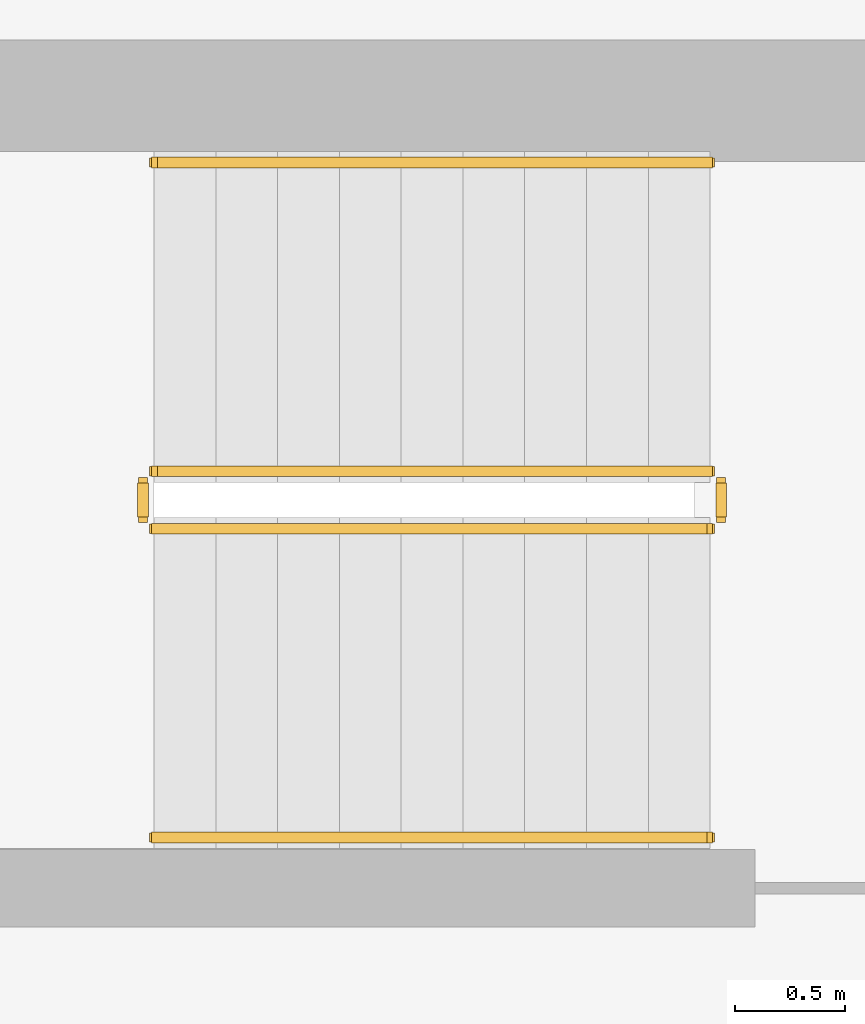
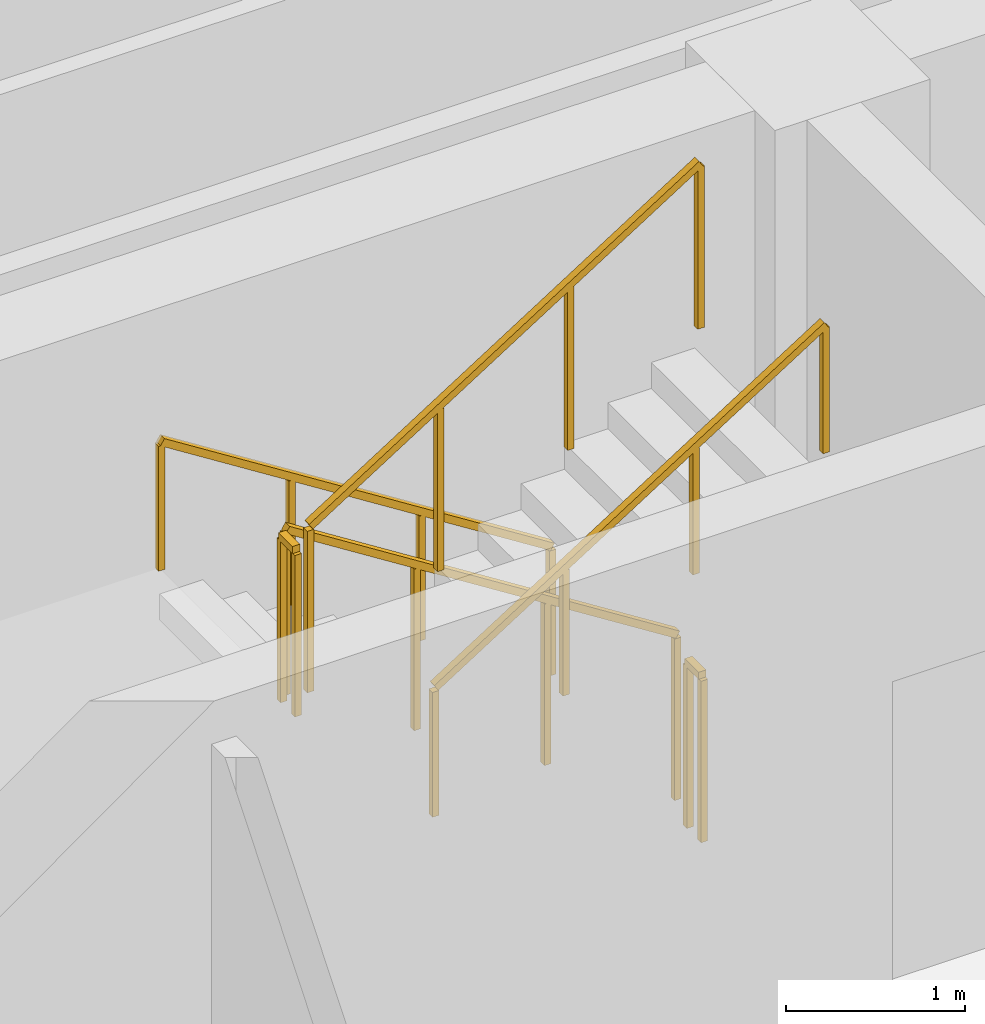
# One storey, part 11 of 13: 6 railings.
"""IFC4 building model written with IfcOpenShell, lengths in metres."""

from ifc_helpers import new_model, si_unit, direction, frame, origin, origin_2d, place, context, subcontext, project, spatial, rectangle, extrude, material, type_object, element, save


model = new_model("IFC4")

# Units and contexts
model_context = context("Model", 3, precision=1e-05, world=origin(), true_north=direction((0.0, 1.0)))
body_context = subcontext(model_context, "Body", "Model", "MODEL_VIEW")
ifc_project = project(units=[si_unit("LENGTHUNIT", "METRE"), si_unit("AREAUNIT", "SQUARE_METRE"), si_unit("VOLUMEUNIT", "CUBIC_METRE"), si_unit("PLANEANGLEUNIT", "RADIAN"), si_unit("MASSUNIT", "GRAM", prefix="KILO")], contexts=[model_context])

# Site, building, storey
site_placement = place(None, origin())
site = spatial("IfcSite", under=ifc_project, at=site_placement, CompositionType="ELEMENT")
building_placement = place(site_placement, origin())
building = spatial("IfcBuilding", under=site, at=building_placement, Name="Zarnavel Station Tower", CompositionType="ELEMENT")
storey_placement = place(building_placement, frame((0.0, 0.0, 180.300048828125)))
storey = spatial("IfcBuildingStorey", under=building, at=storey_placement, Name="L49", CompositionType="ELEMENT", Elevation=180.300048828125)

# Railings
ifc_material_1 = material(Name="Painted Steel S355J2 Balustrade", Category="steel")
railing_type_1 = type_object("IfcRailingType", Name="GR_INT_1150", PredefinedType="GUARDRAIL", material=ifc_material_1)
railing_1_placement = place(storey_placement, frame((19.47998046875, 35.3701171875, 0.177490234375)))
element("IfcRailing", 1, at=railing_1_placement, inside=storey, type_object=railing_type_1, Name="L49 ST1 stair guard 1", PredefinedType="GUARDRAIL", context=body_context, shape_type="SweptSolid", body=[
    extrude(rectangle(XDim=0.048095703125, YDim=0.048095703125, at=origin_2d()), frame((-0.001708984375, 0.0, 1.126953125), z_axis=(-0.84460694969, 0.0, 0.535386869969), x_axis=(0.0, -1.0, 0.0)), (0.0, 0.0, 1.0), 2.979736328125),
    extrude(rectangle(XDim=0.0419921875, YDim=0.0419921875, at=origin_2d()), origin(), (0.0, 0.0, 1.0), 1.101806640625),
    extrude(rectangle(XDim=0.0419921875, YDim=0.0419921875, at=origin_2d()), frame((-0.840087890625, 0.0, 0.532470703125)), (0.0, 0.0, 1.0), 1.101806640625),
    extrude(rectangle(XDim=0.0419921875, YDim=0.0419921875, at=origin_2d()), frame((-1.679931640625, 0.0, 1.06494140625)), (0.0, 0.0, 1.0), 1.101806640625),
    extrude(rectangle(XDim=0.0419921875, YDim=0.0419921875, at=origin_2d()), frame((-2.52001953125, 0.0, 1.597412109375)), (0.0, 0.0, 1.0), 1.101806640625),
])
railing_2_placement = place(storey_placement, frame((16.909912109375, 35.320068359375, 1.77490234375)))
element("IfcRailing", 2, at=railing_2_placement, inside=storey, type_object=railing_type_1, Name="L49 ST1 stair guard 2", PredefinedType="GUARDRAIL", context=body_context, shape_type="SweptSolid", body=[
    extrude(rectangle(XDim=0.048095703125, YDim=0.048095703125, at=origin_2d()), frame((0.0, -0.001953125, 1.1259765625), z_axis=(0.0, -1.0, 0.0), x_axis=(1.0, 0.0, 0.0)), (0.0, 0.0, 1.0), 0.15625),
    extrude(rectangle(XDim=0.0419921875, YDim=0.0419921875, at=origin_2d()), origin(), (0.0, 0.0, 1.0), 1.101806640625),
    extrude(rectangle(XDim=0.0419921875, YDim=0.0419921875, at=origin_2d()), frame((0.0, -0.16015625, 0.0)), (0.0, 0.0, 1.0), 1.101806640625),
])
railing_3_placement = place(storey_placement, frame((16.9599609375, 35.110107421875, 1.952392578125)))
element("IfcRailing", 3, at=railing_3_placement, inside=storey, type_object=railing_type_1, Name="L49 ST1 stair guard 3", PredefinedType="GUARDRAIL", context=body_context, shape_type="SweptSolid", body=[
    extrude(rectangle(XDim=0.048095703125, YDim=0.048095703125, at=origin_2d()), frame((0.001708984375, 0.0, 1.126953125), z_axis=(0.84456994832, 0.0, 0.535445237532), x_axis=(0.0, 1.0, 0.0)), (0.0, 0.0, 1.0), 2.979736328125),
    extrude(rectangle(XDim=0.0419921875, YDim=0.0419921875, at=origin_2d()), origin(), (0.0, 0.0, 1.0), 1.101806640625),
    extrude(rectangle(XDim=0.0419921875, YDim=0.0419921875, at=origin_2d()), frame((0.840087890625, 0.0, 0.532470703125)), (0.0, 0.0, 1.0), 1.101806640625),
    extrude(rectangle(XDim=0.0419921875, YDim=0.0419921875, at=origin_2d()), frame((1.679931640625, 0.0, 1.065185546875)), (0.0, 0.0, 1.0), 1.101806640625),
    extrude(rectangle(XDim=0.0419921875, YDim=0.0419921875, at=origin_2d()), frame((2.52001953125, 0.0, 1.59765625)), (0.0, 0.0, 1.0), 1.101806640625),
])
railing_4_placement = place(storey_placement, frame((19.530029296875, 35.320068359375, 0.0)))
element("IfcRailing", 4, at=railing_4_placement, inside=storey, type_object=railing_type_1, Name="L49 ST1 stair guard 4", PredefinedType="GUARDRAIL", context=body_context, shape_type="SweptSolid", body=[
    extrude(rectangle(XDim=0.048095703125, YDim=0.048095703125, at=origin_2d()), frame((0.0, -0.001953125, 1.1259765625), z_axis=(0.0, -1.0, 0.0), x_axis=(1.0, 0.0, 0.0)), (0.0, 0.0, 1.0), 0.15625),
    extrude(rectangle(XDim=0.0419921875, YDim=0.0419921875, at=origin_2d()), origin(), (0.0, 0.0, 1.0), 1.101806640625),
    extrude(rectangle(XDim=0.0419921875, YDim=0.0419921875, at=origin_2d()), frame((0.0, -0.16015625, 0.0)), (0.0, 0.0, 1.0), 1.101806640625),
])
ifc_material_2 = material(Name="Brushed Stainless Steel S355J2 Handrail", Category="steel")
railing_type_2 = type_object("IfcRailingType", Name="HR_STAIR_900", PredefinedType="HANDRAIL", material=ifc_material_2)
railing_5_placement = place(storey_placement, frame((19.47998046875, 36.77001953125, 0.177490234375)))
element("IfcRailing", 5, at=railing_5_placement, inside=storey, type_object=railing_type_2, Name="L49 ST1 stair handrail 1", PredefinedType="HANDRAIL", context=body_context, shape_type="SweptSolid", body=[
    extrude(rectangle(XDim=0.048095703125, YDim=0.048095703125, at=origin_2d()), frame((-0.001708984375, 0.0, 0.876953125), z_axis=(-0.84460694969, 0.0, 0.535386869969), x_axis=(0.0, -1.0, 0.0)), (0.0, 0.0, 1.0), 2.979736328125),
    extrude(rectangle(XDim=0.0419921875, YDim=0.0419921875, at=origin_2d()), origin(), (0.0, 0.0, 1.0), 0.851806640625),
    extrude(rectangle(XDim=0.0419921875, YDim=0.0419921875, at=origin_2d()), frame((-0.840087890625, 0.0, 0.532470703125)), (0.0, 0.0, 1.0), 0.851806640625),
    extrude(rectangle(XDim=0.0419921875, YDim=0.0419921875, at=origin_2d()), frame((-1.679931640625, 0.0, 1.06494140625)), (0.0, 0.0, 1.0), 0.851806640625),
    extrude(rectangle(XDim=0.0419921875, YDim=0.0419921875, at=origin_2d()), frame((-2.52001953125, 0.0, 1.597412109375)), (0.0, 0.0, 1.0), 0.851806640625),
])
railing_6_placement = place(storey_placement, frame((16.9599609375, 33.7099609375, 1.952392578125)))
element("IfcRailing", 6, at=railing_6_placement, inside=storey, type_object=railing_type_2, Name="L49 ST1 stair handrail 2", PredefinedType="HANDRAIL", context=body_context, shape_type="SweptSolid", body=[
    extrude(rectangle(XDim=0.048095703125, YDim=0.048095703125, at=origin_2d()), frame((0.001708984375, 0.0, 0.876953125), z_axis=(0.84456994832, 0.0, 0.535445237532), x_axis=(0.0, 1.0, 0.0)), (0.0, 0.0, 1.0), 2.979736328125),
    extrude(rectangle(XDim=0.0419921875, YDim=0.0419921875, at=origin_2d()), origin(), (0.0, 0.0, 1.0), 0.851806640625),
    extrude(rectangle(XDim=0.0419921875, YDim=0.0419921875, at=origin_2d()), frame((0.840087890625, 0.0, 0.532470703125)), (0.0, 0.0, 1.0), 0.851806640625),
    extrude(rectangle(XDim=0.0419921875, YDim=0.0419921875, at=origin_2d()), frame((1.679931640625, 0.0, 1.065185546875)), (0.0, 0.0, 1.0), 0.851806640625),
    extrude(rectangle(XDim=0.0419921875, YDim=0.0419921875, at=origin_2d()), frame((2.52001953125, 0.0, 1.59765625)), (0.0, 0.0, 1.0), 0.851806640625),
])

save(model, "model.ifc")
